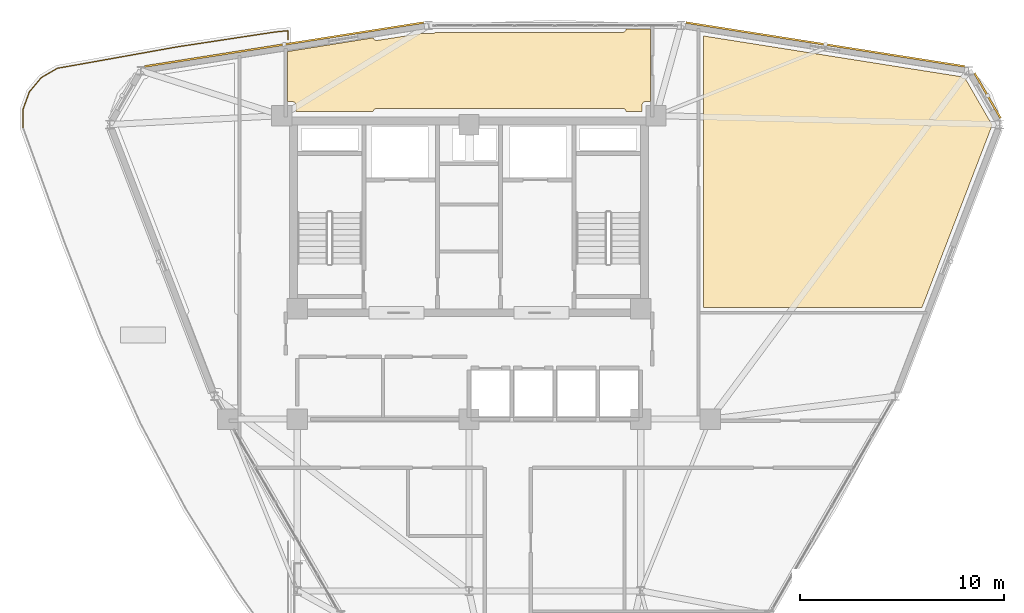
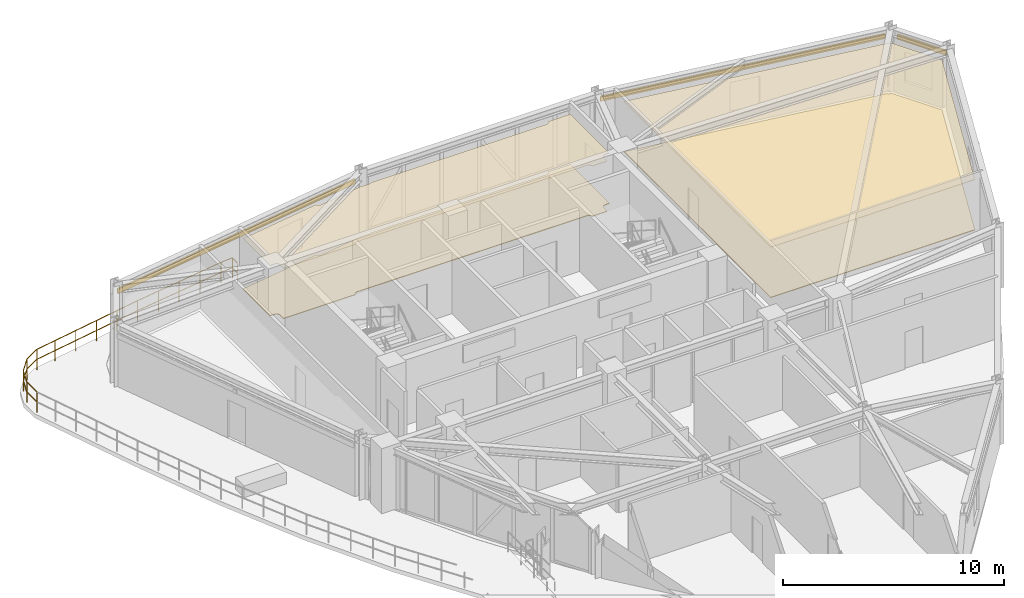
# One storey, part 19 of 19: 4 coverings, 3 shading devices, 1 railing.
"""IFC4 building model written with IfcOpenShell, lengths in metres."""

from ifc_helpers import new_model, si_unit, derived_unit, direction, frame, origin, origin_2d, place, context, subcontext, project, spatial, polyline, hollow_rectangle, circle, outline, extrude, source, transform, mapped, material, layer, layer_set, material_profile, profile_set, type_object, element, save


model = new_model("IFC4")

# Units and contexts
model_context = context("Model", 3, precision=1e-05, world=origin(), true_north=direction((0.0, 1.0)))
body_context = subcontext(model_context, "Body", "Model", "MODEL_VIEW")
ifc_project = project(units=[si_unit("LENGTHUNIT", "METRE"), si_unit("AREAUNIT", "SQUARE_METRE"), si_unit("VOLUMEUNIT", "CUBIC_METRE"), si_unit("PLANEANGLEUNIT", "RADIAN"), si_unit("MASSUNIT", "GRAM", prefix="KILO"), derived_unit("THERMALTRANSMITTANCEUNIT", [(si_unit("POWERUNIT", "WATT"), 1), (si_unit("LENGTHUNIT", "METRE"), -2), (si_unit("THERMODYNAMICTEMPERATUREUNIT", "KELVIN"), -1)])], contexts=[model_context])

# Site, building, storey
site_placement = place(None, origin())
site = spatial("IfcSite", under=ifc_project, at=site_placement, CompositionType="ELEMENT")
building_placement = place(site_placement, origin())
building = spatial("IfcBuilding", under=site, at=building_placement, Name="Korsvarv Bourse and Concert Hall", CompositionType="ELEMENT")
storey_placement = place(building_placement, frame((0.0, 0.0, 205.800048828125)))
storey = spatial("IfcBuildingStorey", under=building, at=storey_placement, Name="L53", CompositionType="ELEMENT", Elevation=205.800048828125)

# Coverings
ifc_material_1 = material(Name="Perforated mineral-wool and birch acoustic baffle ceiling", Category="wood")
ifc_layer_1 = layer(ifc_material_1, 0.02490234375)
ifc_layer_set_1 = layer_set([ifc_layer_1], Name="Perforated mineral-wool and birch acoustic baffle ceiling")
covering_type_1 = type_object("IfcCoveringType", Name="COV-CEIL-1", PredefinedType="CEILING", material=ifc_layer_set_1)
covering_1_placement = place(storey_placement, frame((0.0, 0.0, 2.7900390625)))
element("IfcCovering", 1, at=covering_1_placement, inside=storey, type_object=covering_type_1, Name="L53 acoustic baffle ceiling 1", PredefinedType="CEILING", context=body_context, shape_type="SweptSolid", body=[
    extrude(outline(polyline([(60.077392578125, 49.1533203125), (60.097900390625, 49.12353515625), (60.123779296875, 49.098388671875), (60.154296875, 49.0791015625), (60.18798828125, 49.066162109375), (60.223388671875, 49.060302734375), (60.281494140625, 49.056396484375), (61.5771484375, 46.81201171875), (61.5771484375, 46.737060546875), (58.1552734375, 37.85009765625), (47.47998046875, 37.85009765625), (47.47998046875, 51.14404296875), (60.077392578125, 49.1533203125)])), origin(), (0.0, 0.0, 1.0), 0.02490234375),
])
covering_2_placement = place(storey_placement, frame((0.0, 0.0, 2.7900390625)))
element("IfcCovering", 2, at=covering_2_placement, inside=storey, type_object=covering_type_1, Name="L53 acoustic baffle ceiling 2", PredefinedType="CEILING", context=body_context, shape_type="SweptSolid", body=[
    extrude(outline(polyline([(31.315185546875, 51.053466796875), (31.32421875, 51.02978515625), (31.342529296875, 50.999267578125), (31.366455078125, 50.972900390625), (31.39501953125, 50.951904296875), (31.427001953125, 50.936767578125), (31.46142578125, 50.92822265625), (31.4970703125, 50.9267578125), (33.7646484375, 51.277099609375), (33.79052734375, 51.27197265625), (34.22314453125, 51.263671875), (34.259521484375, 51.266845703125), (34.29443359375, 51.277099609375), (34.326416015625, 51.294189453125), (34.3544921875, 51.3173828125), (43.510009765625, 51.32177734375), (43.546142578125, 51.325439453125), (43.5810546875, 51.336181640625), (43.61279296875, 51.35400390625), (43.640380859375, 51.377685546875), (43.66259765625, 51.406494140625), (43.6787109375, 51.439208984375), (43.68798828125, 51.474365234375), (44.8701171875, 51.481689453125), (44.8701171875, 47.93994140625), (44.64990234375, 47.93994140625), (44.615234375, 47.9365234375), (44.581787109375, 47.926513671875), (44.551025390625, 47.910400390625), (44.52392578125, 47.888427734375), (44.501708984375, 47.86181640625), (44.48486328125, 47.831298828125), (44.47412109375, 47.798095703125), (44.469970703125, 47.763671875), (44.463623046875, 47.43994140625), (43.688720703125, 47.43994140625), (43.68408203125, 47.465087890625), (43.671630859375, 47.499267578125), (43.65234375, 47.5302734375), (43.627197265625, 47.556640625), (43.597412109375, 47.577392578125), (43.56396484375, 47.591796875), (43.5283203125, 47.59912109375), (31.489990234375, 47.60009765625), (31.453857421875, 47.59619140625), (31.4189453125, 47.58544921875), (31.38720703125, 47.567626953125), (31.359619140625, 47.5439453125), (31.33740234375, 47.51513671875), (31.3212890625, 47.482421875), (31.31201171875, 47.447265625), (27.5400390625, 47.43994140625), (27.5400390625, 47.75), (27.53662109375, 47.78466796875), (27.526611328125, 47.81787109375), (27.510498046875, 47.8486328125), (27.48876953125, 47.875732421875), (27.46240234375, 47.898193359375), (27.431884765625, 47.9150390625), (27.39892578125, 47.92578125), (27.364501953125, 47.929931640625), (27.1298828125, 47.935791015625), (27.1298828125, 50.384521484375), (31.315185546875, 51.053466796875)])), origin(), (0.0, 0.0, 1.0), 0.02490234375),
])
ifc_material_2 = material(Name="Calcium-sulphate raised access trading floor with Nordic oak top", Category="wood")
ifc_layer_2 = layer(ifc_material_2, 0.0400390625)
ifc_layer_set_2 = layer_set([ifc_layer_2], Name="Calcium-sulphate raised access trading floor with Nordic oak top")
covering_type_2 = type_object("IfcCoveringType", Name="COV-FLOR-1", PredefinedType="FLOORING", material=ifc_layer_set_2)
covering_3_placement = place(storey_placement, origin())
element("IfcCovering", 3, at=covering_3_placement, inside=storey, type_object=covering_type_2, Name="L53 raised access oak floor finish 1", PredefinedType="FLOORING", context=body_context, shape_type="SweptSolid", body=[
    extrude(outline(polyline([(60.077392578125, 49.1533203125), (60.097900390625, 49.12353515625), (60.123779296875, 49.098388671875), (60.154296875, 49.0791015625), (60.18798828125, 49.066162109375), (60.223388671875, 49.060302734375), (60.281494140625, 49.056396484375), (61.5771484375, 46.81201171875), (61.5771484375, 46.737060546875), (58.1552734375, 37.85009765625), (47.47998046875, 37.85009765625), (47.47998046875, 51.14404296875), (60.077392578125, 49.1533203125)])), origin(), (0.0, 0.0, 1.0), 0.0400390625),
])
covering_4_placement = place(storey_placement, origin())
element("IfcCovering", 4, at=covering_4_placement, inside=storey, type_object=covering_type_2, Name="L53 raised access oak floor finish 2", PredefinedType="FLOORING", context=body_context, shape_type="SweptSolid", body=[
    extrude(outline(polyline([(31.315185546875, 51.053466796875), (31.32421875, 51.02978515625), (31.342529296875, 50.999267578125), (31.366455078125, 50.972900390625), (31.39501953125, 50.951904296875), (31.427001953125, 50.936767578125), (31.46142578125, 50.92822265625), (31.4970703125, 50.9267578125), (33.7646484375, 51.277099609375), (33.79052734375, 51.27197265625), (34.22314453125, 51.263671875), (34.259521484375, 51.266845703125), (34.29443359375, 51.277099609375), (34.326416015625, 51.294189453125), (34.3544921875, 51.3173828125), (43.510009765625, 51.32177734375), (43.546142578125, 51.325439453125), (43.5810546875, 51.336181640625), (43.61279296875, 51.35400390625), (43.640380859375, 51.377685546875), (43.66259765625, 51.406494140625), (43.6787109375, 51.439208984375), (43.68798828125, 51.474365234375), (44.8701171875, 51.481689453125), (44.8701171875, 47.93994140625), (44.64990234375, 47.93994140625), (44.615234375, 47.9365234375), (44.581787109375, 47.926513671875), (44.551025390625, 47.910400390625), (44.52392578125, 47.888427734375), (44.501708984375, 47.86181640625), (44.48486328125, 47.831298828125), (44.47412109375, 47.798095703125), (44.469970703125, 47.763671875), (44.463623046875, 47.43994140625), (43.688720703125, 47.43994140625), (43.68408203125, 47.465087890625), (43.671630859375, 47.499267578125), (43.65234375, 47.5302734375), (43.627197265625, 47.556640625), (43.597412109375, 47.577392578125), (43.56396484375, 47.591796875), (43.5283203125, 47.59912109375), (31.489990234375, 47.60009765625), (31.453857421875, 47.59619140625), (31.4189453125, 47.58544921875), (31.38720703125, 47.567626953125), (31.359619140625, 47.5439453125), (31.33740234375, 47.51513671875), (31.3212890625, 47.482421875), (31.31201171875, 47.447265625), (27.5400390625, 47.43994140625), (27.5400390625, 47.75), (27.53662109375, 47.78466796875), (27.526611328125, 47.81787109375), (27.510498046875, 47.8486328125), (27.48876953125, 47.875732421875), (27.46240234375, 47.898193359375), (27.431884765625, 47.9150390625), (27.39892578125, 47.92578125), (27.364501953125, 47.929931640625), (27.1298828125, 47.935791015625), (27.1298828125, 50.384521484375), (31.315185546875, 51.053466796875)])), origin(), (0.0, 0.0, 1.0), 0.0400390625),
])

# Railing
ifc_material_3 = material(Name="Laminated safety glass and stainless Steel S355 balustrade", Category="steel")
railing_type = type_object("IfcRailingType", Name="RL-BAL-EXT", PredefinedType="BALUSTRADE", material=ifc_material_3)
railing_placement = place(storey_placement, frame((14.186279296875, 46.64990234375, 0.0)))
element("IfcRailing", 5, at=railing_placement, inside=storey, type_object=railing_type, Name="L53 terrace perimeter balustrade SKYG1-1", PredefinedType="BALUSTRADE", context=body_context, shape_type="SweptSolid", body=[
    extrude(circle(Radius=0.02392578125, at=origin_2d()), frame((0.0, 0.0, 1.1259765625), z_axis=(0.0, 1.0, 0.0), x_axis=(-1.0, 0.0, 0.0)), (0.0, 0.0, 1.0), 0.909912109375),
    extrude(circle(Radius=0.02392578125, at=origin_2d()), frame((0.0, 0.0, 0.574951171875), z_axis=(0.0, 1.0, 0.0), x_axis=(-1.0, 0.0, 0.0)), (0.0, 0.0, 1.0), 0.909912109375),
    extrude(circle(Radius=0.02392578125, at=origin_2d()), frame((0.0, 0.909912109375, 1.1259765625), z_axis=(0.341958568445, 0.939715029925, 0.0), x_axis=(-0.939715029925, 0.341958568445, 0.0)), (0.0, 0.0, 1.0), 0.90966796875),
    extrude(circle(Radius=0.02392578125, at=origin_2d()), frame((0.0, 0.909912109375, 0.574951171875), z_axis=(0.341958568445, 0.939715029925, 0.0), x_axis=(-0.939715029925, 0.341958568445, 0.0)), (0.0, 0.0, 1.0), 0.90966796875),
    extrude(circle(Radius=0.02392578125, at=origin_2d()), frame((0.31103515625, 1.7646484375, 1.1259765625), z_axis=(0.642820630264, 0.766016734352, 0.0), x_axis=(-0.766016734352, 0.642820630264, 0.0)), (0.0, 0.0, 1.0), 0.90966796875),
    extrude(circle(Radius=0.02392578125, at=origin_2d()), frame((0.31103515625, 1.7646484375, 0.574951171875), z_axis=(0.642820630264, 0.766016734352, 0.0), x_axis=(-0.766016734352, 0.642820630264, 0.0)), (0.0, 0.0, 1.0), 0.90966796875),
    extrude(circle(Radius=0.02392578125, at=origin_2d()), frame((0.895751953125, 2.46142578125, 1.1259765625), z_axis=(0.866038107287, 0.499977996243, 0.0), x_axis=(-0.499977996243, 0.866038107287, 0.0)), (0.0, 0.0, 1.0), 0.90966796875),
    extrude(circle(Radius=0.02392578125, at=origin_2d()), frame((0.895751953125, 2.46142578125, 0.574951171875), z_axis=(0.866038107287, 0.499977996243, 0.0), x_axis=(-0.499977996243, 0.866038107287, 0.0)), (0.0, 0.0, 1.0), 0.90966796875),
    extrude(circle(Radius=0.02392578125, at=origin_2d()), frame((1.68359375, 2.916259765625, 1.1259765625), z_axis=(0.984763036091, 0.173901589266, 0.0), x_axis=(-0.173901589266, 0.984763036091, 0.0)), (0.0, 0.0, 1.0), 1.078125),
    extrude(circle(Radius=0.02392578125, at=origin_2d()), frame((1.68359375, 2.916259765625, 0.574951171875), z_axis=(0.984763036091, 0.173901589266, 0.0), x_axis=(-0.173901589266, 0.984763036091, 0.0)), (0.0, 0.0, 1.0), 1.078125),
    extrude(circle(Radius=0.02392578125, at=origin_2d()), frame((2.745361328125, 3.103759765625, 1.1259765625), z_axis=(0.984349327095, 0.176228267445, 0.0), x_axis=(-0.176228267445, 0.984349327095, 0.0)), (0.0, 0.0, 1.0), 4.884765625),
    extrude(circle(Radius=0.02392578125, at=origin_2d()), frame((2.745361328125, 3.103759765625, 0.574951171875), z_axis=(0.984349327095, 0.176228267445, 0.0), x_axis=(-0.176228267445, 0.984349327095, 0.0)), (0.0, 0.0, 1.0), 4.884765625),
    extrude(circle(Radius=0.02392578125, at=origin_2d()), frame((7.5537109375, 3.964599609375, 1.1259765625), z_axis=(0.988670287744, 0.150103504733, 0.0), x_axis=(-0.150103504733, 0.988670287744, 0.0)), (0.0, 0.0, 1.0), 4.827392578125),
    extrude(circle(Radius=0.02392578125, at=origin_2d()), frame((7.5537109375, 3.964599609375, 0.574951171875), z_axis=(0.988670287744, 0.150103504733, 0.0), x_axis=(-0.150103504733, 0.988670287744, 0.0)), (0.0, 0.0, 1.0), 4.827392578125),
    extrude(circle(Radius=0.02392578125, at=origin_2d()), frame((12.326416015625, 4.689208984375, 1.1259765625), z_axis=(0.994923319263, 0.100635921948, 0.0), x_axis=(-0.100635921948, 0.994923319263, 0.0)), (0.0, 0.0, 1.0), 0.640380859375),
    extrude(circle(Radius=0.02392578125, at=origin_2d()), frame((12.326416015625, 4.689208984375, 0.574951171875), z_axis=(0.994923319263, 0.100635921948, 0.0), x_axis=(-0.100635921948, 0.994923319263, 0.0)), (0.0, 0.0, 1.0), 0.640380859375),
    extrude(circle(Radius=0.02392578125, at=origin_2d()), frame((12.963623046875, 4.753662109375, 1.1259765625), z_axis=(0.0, -1.0, 0.0), x_axis=(1.0, 0.0, 0.0)), (0.0, 0.0, 1.0), 0.44873046875),
    extrude(circle(Radius=0.02392578125, at=origin_2d()), frame((12.963623046875, 4.753662109375, 0.574951171875), z_axis=(0.0, -1.0, 0.0), x_axis=(1.0, 0.0, 0.0)), (0.0, 0.0, 1.0), 0.44873046875),
    extrude(circle(Radius=0.02099609375, at=origin_2d()), origin(), (0.0, 0.0, 1.0), 1.101806640625),
    extrude(circle(Radius=0.02099609375, at=origin_2d()), frame((0.0, 0.909912109375, 0.0)), (0.0, 0.0, 1.0), 1.101806640625),
    extrude(circle(Radius=0.02099609375, at=origin_2d()), frame((0.31103515625, 1.7646484375, 0.0)), (0.0, 0.0, 1.0), 1.101806640625),
    extrude(circle(Radius=0.02099609375, at=origin_2d()), frame((0.895751953125, 2.46142578125, 0.0)), (0.0, 0.0, 1.0), 1.101806640625),
    extrude(circle(Radius=0.02099609375, at=origin_2d()), frame((1.68359375, 2.916259765625, 0.0)), (0.0, 0.0, 1.0), 1.101806640625),
    extrude(circle(Radius=0.02099609375, at=origin_2d()), frame((2.745361328125, 3.103759765625, 0.0)), (0.0, 0.0, 1.0), 1.101806640625),
    extrude(circle(Radius=0.02099609375, at=origin_2d()), frame((3.947509765625, 3.31884765625, 0.0)), (0.0, 0.0, 1.0), 1.101806640625),
    extrude(circle(Radius=0.02099609375, at=origin_2d()), frame((5.1494140625, 3.5341796875, 0.0)), (0.0, 0.0, 1.0), 1.101806640625),
    extrude(circle(Radius=0.02099609375, at=origin_2d()), frame((6.3515625, 3.74951171875, 0.0)), (0.0, 0.0, 1.0), 1.101806640625),
    extrude(circle(Radius=0.02099609375, at=origin_2d()), frame((7.5537109375, 3.964599609375, 0.0)), (0.0, 0.0, 1.0), 1.101806640625),
    extrude(circle(Radius=0.02099609375, at=origin_2d()), frame((8.746826171875, 4.145751953125, 0.0)), (0.0, 0.0, 1.0), 1.101806640625),
    extrude(circle(Radius=0.02099609375, at=origin_2d()), frame((9.93994140625, 4.326904296875, 0.0)), (0.0, 0.0, 1.0), 1.101806640625),
    extrude(circle(Radius=0.02099609375, at=origin_2d()), frame((11.13330078125, 4.508056640625, 0.0)), (0.0, 0.0, 1.0), 1.101806640625),
    extrude(circle(Radius=0.02099609375, at=origin_2d()), frame((12.326416015625, 4.689208984375, 0.0)), (0.0, 0.0, 1.0), 1.101806640625),
    extrude(circle(Radius=0.02099609375, at=origin_2d()), frame((12.963623046875, 4.753662109375, 0.0)), (0.0, 0.0, 1.0), 1.101806640625),
    extrude(circle(Radius=0.02099609375, at=origin_2d()), frame((12.963623046875, 4.304931640625, 0.0)), (0.0, 0.0, 1.0), 1.101806640625),
])

# Shading devices
ifc_material_4 = material(Name="Glazed extruded architectural terracotta", Category="ceramic")
ifc_material_profile = material_profile(ifc_material_4, hollow_rectangle(XDim=0.090087890625, YDim=0.260009765625, WallThickness=0.011962890625, at=origin_2d()), Name="TC-BAG 90x260")
ifc_profile_set = profile_set([ifc_material_profile], Name="Glazed extruded architectural terracotta")
shading_device_type = type_object("IfcShadingDeviceType", Name="SHD-BAG-1", PredefinedType="USERDEFINED", material=ifc_profile_set)
shared_shape_1 = source(origin(), body_context, "Body", "SweptSolid", [
    extrude(hollow_rectangle(XDim=0.090087890625, YDim=0.260009765625, WallThickness=0.011962890625, at=origin_2d()), origin(), (0.0, 0.0, 1.0), 2.55224609375),
])
shading_device_1_placement = place(storey_placement, frame((62.00732421875, 47.116943359375, 2.85986328125), z_axis=(-0.49997637333, 0.866039044219, 0.0), x_axis=(-0.866039044219, -0.49997637333, 0.0)))
element("IfcShadingDevice", 6, at=shading_device_1_placement, inside=storey, type_object=shading_device_type, Name="L53 terracotta baguette sunshade EW-L53-B01", ObjectType="BAGUETTE", PredefinedType="USERDEFINED", context=body_context, shape_type="MappedRepresentation", body=[
    mapped(shared_shape_1, transform((0.0, 0.0, 0.0), scale=1.0)),
])
shared_shape_2 = source(origin(), body_context, "Body", "SweptSolid", [
    extrude(hollow_rectangle(XDim=0.090087890625, YDim=0.260009765625, WallThickness=0.011962890625, at=origin_2d()), origin(), (0.0, 0.0, 1.0), 13.823486328125),
])
shading_device_2_placement = place(storey_placement, frame((60.267333984375, 49.6533203125, 2.85986328125), z_axis=(-0.987845880807, 0.155436532941, 0.0), x_axis=(-0.155436532941, -0.987845880807, 0.0)))
element("IfcShadingDevice", 7, at=shading_device_2_placement, inside=storey, type_object=shading_device_type, Name="L53 terracotta baguette sunshade EW-L53-B02", ObjectType="BAGUETTE", PredefinedType="USERDEFINED", context=body_context, shape_type="MappedRepresentation", body=[
    mapped(shared_shape_2, transform((0.0, 0.0, 0.0), scale=1.0)),
])
shared_shape_3 = source(origin(), body_context, "Body", "SweptSolid", [
    extrude(hollow_rectangle(XDim=0.090087890625, YDim=0.260009765625, WallThickness=0.011962890625, at=origin_2d()), origin(), (0.0, 0.0, 1.0), 13.8232421875),
])
shading_device_3_placement = place(storey_placement, frame((33.7880859375, 51.802001953125, 2.800048828125), z_axis=(-0.987845454091, -0.155439244823, 0.0), x_axis=(0.155439244823, -0.987845454091, 0.0)))
element("IfcShadingDevice", 8, at=shading_device_3_placement, inside=storey, type_object=shading_device_type, Name="L53 terracotta baguette sunshade EW-L53-B04", ObjectType="BAGUETTE", PredefinedType="USERDEFINED", context=body_context, shape_type="MappedRepresentation", body=[
    mapped(shared_shape_3, transform((0.0, 0.0, 0.0), scale=1.0)),
])

save(model, "model.ifc")
